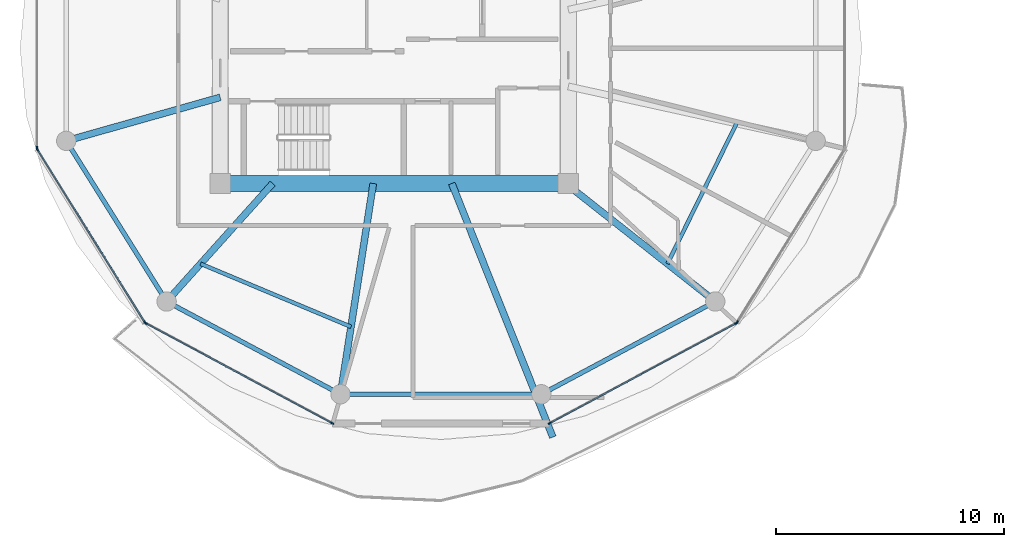
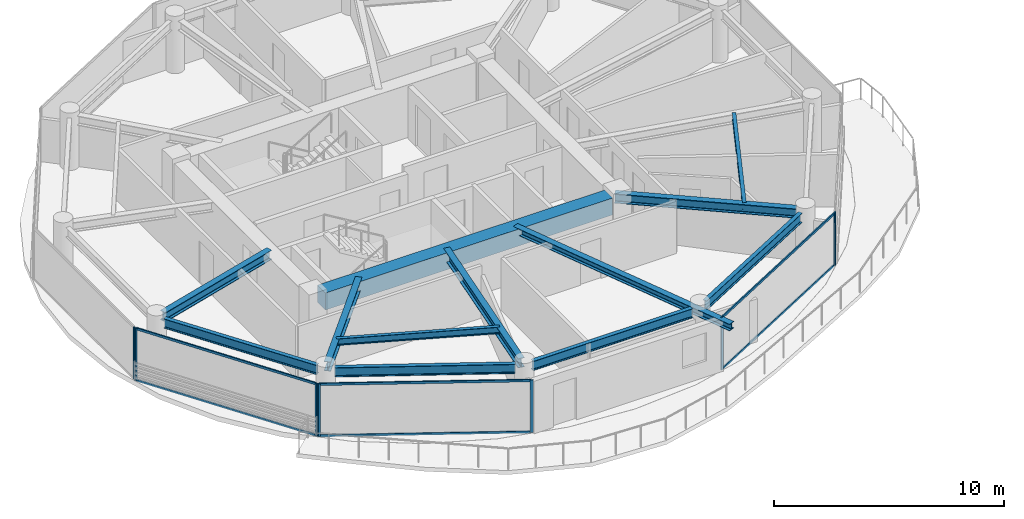
# One storey, part 2 of 24: 14 members, 12 beams, 5 elements without a shape of their own.
"""IFC4 building model written with IfcOpenShell, lengths in metres."""

import ifcopenshell
import ifcopenshell.guid

model = None  # the IFC model being written
_history = None  # IfcOwnerHistory: only IFC2X3 demands one
_inside = {}  # id of a spatial element -> (the spatial element, [elements in it])
_under = {}  # id of a project, library or spatial element -> (it, [spatial elements below it])
_declared = {}  # id of a project -> (the project, [libraries it declares])
_typed = {}  # id of a type object -> (the type object, [elements of that type])
_made_of = {}  # id of a material, layer set ... -> (it, [elements and type objects made of it])


def new_model(schema):
    """Start an empty IFC model of exactly this schema.

    Asked for "IFC4X3", IfcOpenShell would pick the latest addendum, in which some entities
    have other attributes; the version numbers below select the first issue.
    IFC2X3 requires an IfcOwnerHistory on every rooted entity: one is made here for all.
    """
    global model, _history
    if schema == "IFC4X3":
        model = ifcopenshell.file(schema_version=(4, 3, 0, 0))
    else:
        model = ifcopenshell.file(schema=schema)
    _inside.clear()
    _under.clear()
    _declared.clear()
    _typed.clear()
    _made_of.clear()
    _history = None
    if model.schema == "IFC2X3":
        org = make("IfcOrganization", Name="unknown")
        user = make(
            "IfcPersonAndOrganization",
            ThePerson=make("IfcPerson", FamilyName="unknown"),
            TheOrganization=org,
        )
        app = make(
            "IfcApplication",
            ApplicationDeveloper=org,
            Version="unknown",
            ApplicationFullName="unknown",
            ApplicationIdentifier="unknown",
        )
        _history = make(
            "IfcOwnerHistory",
            OwningUser=user,
            OwningApplication=app,
            ChangeAction="ADDED",
            CreationDate=0,
        )
    return model


def make(cls, **values):
    """One entity of the class cls with the attributes given. An attribute that is None is left unset."""
    return model.create_entity(
        cls, **{name: value for name, value in values.items() if value is not None}
    )


def rooted(cls, **values):
    """An entity with a GlobalId (a new one), such as an element, a storey or a relation."""
    return make(cls, GlobalId=ifcopenshell.guid.new(), OwnerHistory=_history, **values)


def si_unit(unit_type, name, prefix=None):
    """IfcSIUnit, for example si_unit("LENGTHUNIT", "METRE", prefix="MILLI")."""
    return make("IfcSIUnit", UnitType=unit_type, Prefix=prefix, Name=name)


def assignment(units):
    """IfcUnitAssignment: the units of a project."""
    return None if units is None else make("IfcUnitAssignment", Units=units)


def point(xyz):
    """IfcCartesianPoint."""
    return None if xyz is None else make("IfcCartesianPoint", Coordinates=xyz)


def direction(xyz):
    """IfcDirection."""
    return None if xyz is None else make("IfcDirection", DirectionRatios=xyz)


def frame(location, z_axis=None, x_axis=None):
    """IfcAxis2Placement3D, a coordinate frame: its origin and axes. An axis left out is left unset."""
    return make(
        "IfcAxis2Placement3D",
        Location=point(location),
        Axis=direction(z_axis),
        RefDirection=direction(x_axis),
    )


def frame_2d(location, x_axis=None):
    """IfcAxis2Placement2D, a coordinate frame in the plane: its origin and x axis."""
    return make(
        "IfcAxis2Placement2D", Location=point(location), RefDirection=direction(x_axis)
    )


def origin():
    """The frame at (0, 0, 0) with its axes left unset."""
    return frame((0.0, 0.0, 0.0))


def origin_2d():
    """The frame at (0, 0) in the plane with its x axis left unset."""
    return frame_2d((0.0, 0.0))


def place(relative_to, where):
    """IfcLocalPlacement: puts the frame where relative to a parent placement (None: the world)."""
    return make(
        "IfcLocalPlacement", PlacementRelTo=relative_to, RelativePlacement=where
    )


def context(
    kind, dimensions, precision=None, world=None, true_north=None, identifier=None
):
    """IfcGeometricRepresentationContext, for example the 3D "Model" context."""
    return make(
        "IfcGeometricRepresentationContext",
        ContextIdentifier=identifier,
        ContextType=kind,
        CoordinateSpaceDimension=dimensions,
        Precision=precision,
        WorldCoordinateSystem=world,
        TrueNorth=true_north,
    )


def subcontext(parent, identifier, kind, view, scale=None):
    """IfcGeometricRepresentationSubContext, for example "Body" below "Model"."""
    return make(
        "IfcGeometricRepresentationSubContext",
        ContextIdentifier=identifier,
        ContextType=kind,
        ParentContext=parent,
        TargetScale=scale,
        TargetView=view,
    )


def project(units=None, contexts=None):
    """IfcProject with its units and contexts."""
    return rooted(
        "IfcProject",
        Name="project",
        RepresentationContexts=contexts,
        UnitsInContext=assignment(units),
    )


def spatial(cls, under=None, at=None, **own):
    """A site, building, storey or space (cls), placed at a placement, below another one or the project."""
    s = rooted(cls, ObjectPlacement=at, **own)
    if under is not None:
        _under.setdefault(under.id(), (under, []))[1].append(s)
    return s


def profile(cls, at=None, kind="AREA", **sizes):
    """A parametric profile (cls). Its sizes go by their IFC names, for example OverallWidth=200.0."""
    return make(cls, ProfileType=kind, Position=at, **sizes)


def rectangle(**sizes):
    """IfcRectangleProfileDef."""
    return profile("IfcRectangleProfileDef", **sizes)


def i_section(**sizes):
    """IfcIShapeProfileDef."""
    return profile("IfcIShapeProfileDef", **sizes)


def extrude(swept, where, along, depth):
    """IfcExtrudedAreaSolid: the profile swept, set in the frame where, extruded along a direction by depth."""
    return make(
        "IfcExtrudedAreaSolid",
        SweptArea=swept,
        Position=where,
        ExtrudedDirection=direction(along),
        Depth=depth,
    )


def shape(context_of_items, identifier, shape_type, items):
    """IfcShapeRepresentation: the items that make up one representation, for example the "Body"."""
    return make(
        "IfcShapeRepresentation",
        ContextOfItems=context_of_items,
        RepresentationIdentifier=identifier,
        RepresentationType=shape_type,
        Items=items,
    )


def source(mapping_origin, context_of_items, identifier, shape_type, items):
    """IfcRepresentationMap: a shape defined once, which mapped items show again and again."""
    return make(
        "IfcRepresentationMap",
        MappingOrigin=mapping_origin,
        MappedRepresentation=shape(context_of_items, identifier, shape_type, items),
    )


def transform(
    local_origin,
    x_axis=None,
    y_axis=None,
    z_axis=None,
    scale=None,
    scale2=None,
    scale3=None,
    uniform=True,
):
    """IfcCartesianTransformationOperator3D, or its non-uniform kind. x_axis, y_axis, z_axis: its Axis1, 2, 3."""
    if uniform:
        return make(
            "IfcCartesianTransformationOperator3D",
            Axis1=direction(x_axis),
            Axis2=direction(y_axis),
            LocalOrigin=point(local_origin),
            Scale=scale,
            Axis3=direction(z_axis),
        )
    return make(
        "IfcCartesianTransformationOperator3DnonUniform",
        Axis1=direction(x_axis),
        Axis2=direction(y_axis),
        LocalOrigin=point(local_origin),
        Scale=scale,
        Axis3=direction(z_axis),
        Scale2=scale2,
        Scale3=scale3,
    )


def mapped(mapping_source, mapping_target):
    """IfcMappedItem: shows the shape of a source again, moved by a transform."""
    return make(
        "IfcMappedItem", MappingSource=mapping_source, MappingTarget=mapping_target
    )


def material(Name=None, Category=None):
    """IfcMaterial."""
    return make("IfcMaterial", Name=Name, Category=Category)


def layer(
    of_material, thickness, ventilated=None, Name=None, Category=None, Priority=None
):
    """IfcMaterialLayer: one layer of a wall or slab, of a material (None: an air gap)."""
    return make(
        "IfcMaterialLayer",
        Material=of_material,
        LayerThickness=thickness,
        IsVentilated=ventilated,
        Name=Name,
        Category=Category,
        Priority=Priority,
    )


def layer_set(layers, Name=None):
    """IfcMaterialLayerSet."""
    return make("IfcMaterialLayerSet", MaterialLayers=layers, LayerSetName=Name)


def material_profile(
    of_material, cross_section, Name=None, Category=None, Priority=None
):
    """IfcMaterialProfile: a cross section and its material."""
    return make(
        "IfcMaterialProfile",
        Name=Name,
        Material=of_material,
        Profile=cross_section,
        Priority=Priority,
        Category=Category,
    )


def profile_set(profiles, Name=None, composite=None):
    """IfcMaterialProfileSet."""
    return make(
        "IfcMaterialProfileSet",
        Name=Name,
        MaterialProfiles=profiles,
        CompositeProfile=composite,
    )


def made_of(thing, what):
    """Note that an element or type object is made of a material, layer set ...; save() writes the relation."""
    if what is not None:
        _made_of.setdefault(what.id(), (what, []))[1].append(thing)
    return thing


def type_object(cls, material=None, **own):
    """A type object (cls), such as IfcWallType, which elements share."""
    return made_of(rooted(cls, **own), material)


def type_shapes(of_type, sources):
    """Give a type object the sources (RepresentationMaps) that its elements show as mapped items."""
    of_type.RepresentationMaps = sources


def element(
    cls,
    number,
    at=None,
    inside=None,
    cuts=None,
    type_object=None,
    material=None,
    context=None,
    identifier="Body",
    shape_type=None,
    held_by="IfcProductDefinitionShape",
    body=None,
    shapes=None,
    **own,
):
    """One element of the class cls, such as IfcWall. Its Tag is "e" and its number.

    at: its placement. inside: the storey or other place that contains it. cuts: it is an
    opening in that element (IfcRelVoidsElement). A single representation is given by context,
    identifier, shape_type and body (its items); several are given by shapes. held_by: the class
    of the entity that holds the representations. save() writes the other relations.
    """
    e = rooted(cls, Tag="e%d" % number, ObjectPlacement=at, **own)
    if body is not None:
        shapes = [shape(context, identifier, shape_type, body)]
    if shapes is not None:
        e.Representation = make(held_by, Representations=shapes)
    if inside is not None:
        _inside.setdefault(inside.id(), (inside, []))[1].append(e)
    if cuts is not None:
        rooted(
            "IfcRelVoidsElement", RelatingBuildingElement=cuts, RelatedOpeningElement=e
        )
    if type_object is not None:
        _typed.setdefault(type_object.id(), (type_object, []))[1].append(e)
    return made_of(e, material)


def aggregate(whole, parts):
    """IfcRelAggregates: a whole, such as a stair, and the parts it consists of."""
    return rooted("IfcRelAggregates", RelatingObject=whole, RelatedObjects=parts)


def save(model, path):
    """Write the relations noted so far, then the file.

    IfcRelAggregates (storeys below a building ...), IfcRelContainedInSpatialStructure (elements
    in a storey), IfcRelDefinesByType, IfcRelAssociatesMaterial and IfcRelDeclares: one each for
    every whole, place, type object, material and project.
    """
    for whole, parts in _under.values():
        aggregate(whole, parts)
    for where, things in _inside.values():
        rooted(
            "IfcRelContainedInSpatialStructure",
            RelatedElements=things,
            RelatingStructure=where,
        )
    for kind, things in _typed.values():
        rooted("IfcRelDefinesByType", RelatedObjects=things, RelatingType=kind)
    for what, things in _made_of.values():
        rooted("IfcRelAssociatesMaterial", RelatedObjects=things, RelatingMaterial=what)
    for by, libraries in _declared.values():
        rooted("IfcRelDeclares", RelatingContext=by, RelatedDefinitions=libraries)
    model.write(path)


model = new_model("IFC4")

# Units and contexts
model_context = context("Model", 3, precision=1e-05, world=origin(), true_north=direction((0.0, 1.0)))
body_context = subcontext(model_context, "Body", "Model", "MODEL_VIEW")
ifc_project = project(units=[si_unit("LENGTHUNIT", "METRE"), si_unit("AREAUNIT", "SQUARE_METRE"), si_unit("VOLUMEUNIT", "CUBIC_METRE"), si_unit("PLANEANGLEUNIT", "RADIAN"), si_unit("MASSUNIT", "GRAM", prefix="KILO")], contexts=[model_context])

# Site, building, storey
site_placement = place(None, origin())
site = spatial("IfcSite", under=ifc_project, at=site_placement, CompositionType="ELEMENT")
building_placement = place(site_placement, origin())
building = spatial("IfcBuilding", under=site, at=building_placement, Name="Norrkilde Senior Care Towers", CompositionType="ELEMENT")
storey_placement = place(building_placement, frame((0.0, 0.0, 117.60009765625)))
storey = spatial("IfcBuildingStorey", under=building, at=storey_placement, Name="L36", CompositionType="ELEMENT", Elevation=117.60009765625)

# Beams
ifc_material_1 = material(Name="Concrete C60/75", Category="concrete")
ifc_material_profile_1 = material_profile(ifc_material_1, rectangle(XDim=0.699951171875, YDim=0.89990234375, at=origin_2d()), Name="RC BM 700x900")
ifc_profile_set_1 = profile_set([ifc_material_profile_1], Name="Concrete C60/75")
beam_type_1 = type_object("IfcBeamType", Name="Core Coupling Girder 700x900", PredefinedType="USERDEFINED", material=ifc_profile_set_1)
shared_shape_1 = source(origin(), body_context, "Body", "SweptSolid", [
    extrude(rectangle(XDim=0.699951171875, YDim=0.89990234375, at=origin_2d()), origin(), (0.0, 0.0, 1.0), 14.43994140625),
])
type_shapes(beam_type_1, [shared_shape_1])
beam_1_placement = place(storey_placement, frame((-35.219970703125, -5.949951171875, 2.33984375), z_axis=(1.0, 0.0, 0.0), x_axis=(0.0, 1.0, 0.0)))
element("IfcBeam", 1, at=beam_1_placement, inside=storey, type_object=beam_type_1, Name="L36 Core W S Coupling Girder", ObjectType="GIRDER", PredefinedType="USERDEFINED", context=body_context, shape_type="MappedRepresentation", body=[
    mapped(shared_shape_1, transform((0.0, 0.0, 0.0), x_axis=(1.0, 0.0, 0.0), y_axis=(0.0, 1.0, 0.0), z_axis=(0.0, 0.0, 1.0), scale=1.0)),
])
ifc_material_2 = material(Name="Steel S355", Category="steel")
ifc_material_profile_2 = material_profile(ifc_material_2, i_section(OverallWidth=0.199951171875, OverallDepth=0.5, WebThickness=0.01025390625, FlangeThickness=0.01611328125, FilletRadius=0.02099609375, at=origin_2d()), Name="IPE 500")
ifc_profile_set_2 = profile_set([ifc_material_profile_2], Name="Steel S355")
beam_type_2 = type_object("IfcBeamType", Name="Perimeter Ring Spandrel Z2 IPE500", PredefinedType="SPANDREL", material=ifc_profile_set_2)
shared_shape_2 = source(origin(), body_context, "Body", "SweptSolid", [
    extrude(i_section(OverallWidth=0.199951171875, OverallDepth=0.5, WebThickness=0.01025390625, FlangeThickness=0.01611328125, FilletRadius=0.02099609375, at=origin_2d()), origin(), (0.0, 0.0, 1.0), 7.892333984375),
])
for number, where, z_axis, x_axis, name in (
    (2, (-37.66650390625, -11.318115234375, 2.539794921875), (0.882350372282, -0.47059305194, 0.0), (0.47059305194, 0.882350372282, 0.0), "L36 Drum W Perimeter Spandrel 08"),
    (3, (-21.197509765625, -15.0322265625, 2.539794921875), (0.882350372282, 0.47059305194, 0.0), (-0.47059305194, 0.882350372282, 0.0), "L36 Drum W Perimeter Spandrel 10"),
):
    element("IfcBeam", number, at=place(storey_placement, frame(where, z_axis=z_axis, x_axis=x_axis)), inside=storey, type_object=beam_type_2, Name=name, PredefinedType="SPANDREL", context=body_context, shape_type="MappedRepresentation", body=[
        mapped(shared_shape_2, transform((0.0, 0.0, 0.0), x_axis=(1.0, 0.0, 0.0), y_axis=(0.0, 1.0, 0.0), z_axis=(0.0, 0.0, 1.0), scale=1.0)),
    ])
ifc_material_profile_3 = material_profile(ifc_material_2, i_section(OverallWidth=0.300048828125, OverallDepth=0.5, WebThickness=0.014404296875, FlangeThickness=0.028076171875, FilletRadius=0.027099609375, at=origin_2d()), Name="HEB 500")
ifc_profile_set_3 = profile_set([ifc_material_profile_3], Name="Steel S355")
beam_type_3 = type_object("IfcBeamType", Name="Radial Floor Beam Z2 HEB500", PredefinedType="BEAM", material=ifc_profile_set_3)
shared_shape_3 = source(origin(), body_context, "Body", "SweptSolid", [
    extrude(i_section(OverallWidth=0.300048828125, OverallDepth=0.5, WebThickness=0.014404296875, FlangeThickness=0.028076171875, FilletRadius=0.027099609375, at=origin_2d()), origin(), (0.0, 0.0, 1.0), 7.985595703125),
])
beam_2_placement = place(storey_placement, frame((-20.463623046875, -5.949951171875, 2.539794921875), z_axis=(0.784858505144, -0.619675017169, 0.0), x_axis=(0.619675017169, 0.784858505144, 0.0)))
element("IfcBeam", 4, at=beam_2_placement, inside=storey, type_object=beam_type_3, Name="L36 Drum W Radial Floor Beam 11", PredefinedType="BEAM", context=body_context, shape_type="MappedRepresentation", body=[
    mapped(shared_shape_3, transform((0.0, 0.0, 0.0), x_axis=(1.0, 0.0, 0.0), y_axis=(0.0, 1.0, 0.0), z_axis=(0.0, 0.0, 1.0), scale=1.0)),
])
shared_shape_4 = source(origin(), body_context, "Body", "SweptSolid", [
    extrude(i_section(OverallWidth=0.199951171875, OverallDepth=0.5, WebThickness=0.01025390625, FlangeThickness=0.01611328125, FilletRadius=0.02099609375, at=origin_2d()), origin(), (0.0, 0.0, 1.0), 8.0556640625),
])
beam_3_placement = place(storey_placement, frame((-29.977783203125, -15.21337890625, 2.539794921875), z_axis=(1.0, 0.0, 0.0), x_axis=(0.0, 1.0, 0.0)))
element("IfcBeam", 5, at=beam_3_placement, inside=storey, type_object=beam_type_2, Name="L36 Drum W Perimeter Spandrel 09", PredefinedType="SPANDREL", context=body_context, shape_type="MappedRepresentation", body=[
    mapped(shared_shape_4, transform((0.0, 0.0, 0.0), x_axis=(1.0, 0.0, 0.0), y_axis=(0.0, 1.0, 0.0), z_axis=(0.0, 0.0, 1.0), scale=1.0)),
])
shared_shape_5 = source(origin(), body_context, "Body", "SweptSolid", [
    extrude(i_section(OverallWidth=0.300048828125, OverallDepth=0.5, WebThickness=0.014404296875, FlangeThickness=0.028076171875, FilletRadius=0.027099609375, at=origin_2d()), origin(), (0.0, 0.0, 1.0), 8.989501953125),
])
beam_4_placement = place(storey_placement, frame((-28.924072265625, -5.949951171875, 2.539794921875), z_axis=(-0.153471298636, -0.988153105796, 0.0), x_axis=(0.988153105796, -0.153471298636, 0.0)))
element("IfcBeam", 6, at=beam_4_placement, inside=storey, type_object=beam_type_3, Name="L36 Drum W Radial Floor Beam 09", PredefinedType="BEAM", context=body_context, shape_type="MappedRepresentation", body=[
    mapped(shared_shape_5, transform((0.0, 0.0, 0.0), x_axis=(1.0, 0.0, 0.0), y_axis=(0.0, 1.0, 0.0), z_axis=(0.0, 0.0, 1.0), scale=1.0)),
])
shared_shape_6 = source(origin(), body_context, "Body", "SweptSolid", [
    extrude(i_section(OverallWidth=0.199951171875, OverallDepth=0.5, WebThickness=0.01025390625, FlangeThickness=0.01611328125, FilletRadius=0.02099609375, at=origin_2d()), origin(), (0.0, 0.0, 1.0), 7.556396484375),
])
type_shapes(beam_type_2, [shared_shape_2, shared_shape_4, shared_shape_6])
beam_5_placement = place(storey_placement, frame((-42.215087890625, -4.40283203125, 2.539794921875), z_axis=(0.530004748437, -0.847994673706, 0.0), x_axis=(0.847994673706, 0.530004748437, 0.0)))
element("IfcBeam", 7, at=beam_5_placement, inside=storey, type_object=beam_type_2, Name="L36 Drum W Perimeter Spandrel 07", PredefinedType="SPANDREL", context=body_context, shape_type="MappedRepresentation", body=[
    mapped(shared_shape_6, transform((0.0, 0.0, 0.0), x_axis=(1.0, 0.0, 0.0), y_axis=(0.0, 1.0, 0.0), z_axis=(0.0, 0.0, 1.0), scale=1.0)),
])
shared_shape_7 = source(origin(), body_context, "Body", "SweptSolid", [
    extrude(i_section(OverallWidth=0.300048828125, OverallDepth=0.5, WebThickness=0.014404296875, FlangeThickness=0.028076171875, FilletRadius=0.027099609375, at=origin_2d()), origin(), (0.0, 0.0, 1.0), 6.587890625),
])
beam_6_placement = place(storey_placement, frame((-33.345947265625, -5.949951171875, 2.539794921875), z_axis=(-0.668315438605, -0.743877997068, 0.0), x_axis=(0.743877997068, -0.668315438605, 0.0)))
element("IfcBeam", 8, at=beam_6_placement, inside=storey, type_object=beam_type_3, Name="L36 Drum W Radial Floor Beam 08", PredefinedType="BEAM", context=body_context, shape_type="MappedRepresentation", body=[
    mapped(shared_shape_7, transform((0.0, 0.0, 0.0), x_axis=(1.0, 0.0, 0.0), y_axis=(0.0, 1.0, 0.0), z_axis=(0.0, 0.0, 1.0), scale=1.0)),
])
shared_shape_8 = source(origin(), body_context, "Body", "SweptSolid", [
    extrude(i_section(OverallWidth=0.300048828125, OverallDepth=0.5, WebThickness=0.014404296875, FlangeThickness=0.028076171875, FilletRadius=0.027099609375, at=origin_2d()), origin(), (0.0, 0.0, 1.0), 6.6494140625),
])
type_shapes(beam_type_3, [shared_shape_3, shared_shape_5, shared_shape_7, shared_shape_8])
beam_7_placement = place(storey_placement, frame((-35.64990234375, -2.162841796875, 2.539794921875), z_axis=(-0.962289138357, -0.27202870106, 0.0), x_axis=(0.27202870106, -0.962289138357, 0.0)))
element("IfcBeam", 9, at=beam_7_placement, inside=storey, type_object=beam_type_3, Name="L36 Drum W Radial Floor Beam 07", PredefinedType="BEAM", context=body_context, shape_type="MappedRepresentation", body=[
    mapped(shared_shape_8, transform((0.0, 0.0, 0.0), x_axis=(1.0, 0.0, 0.0), y_axis=(0.0, 1.0, 0.0), z_axis=(0.0, 0.0, 1.0), scale=1.0)),
])
ifc_material_profile_4 = material_profile(ifc_material_2, i_section(OverallWidth=0.169921875, OverallDepth=0.360107421875, WebThickness=0.008056640625, FlangeThickness=0.0126953125, FilletRadius=0.01806640625, at=origin_2d()), Name="IPE 360")
ifc_profile_set_4 = profile_set([ifc_material_profile_4], Name="Steel S355")
beam_type_4 = type_object("IfcBeamType", Name="Secondary Floor Joist IPE360", PredefinedType="JOIST", material=ifc_profile_set_4)
shared_shape_9 = source(origin(), body_context, "Body", "SweptSolid", [
    extrude(i_section(OverallWidth=0.169921875, OverallDepth=0.360107421875, WebThickness=0.008056640625, FlangeThickness=0.0126953125, FilletRadius=0.01806640625, at=origin_2d()), origin(), (0.0, 0.0, 1.0), 7.169921875),
])
beam_8_placement = place(storey_placement, frame((-36.514892578125, -9.47705078125, 2.60986328125), z_axis=(0.922240600393, -0.386616444279, 0.0), x_axis=(0.386616444279, 0.922240600393, 0.0)))
element("IfcBeam", 10, at=beam_8_placement, inside=storey, type_object=beam_type_4, Name="L36 Drum W Secondary Floor Joist 3", PredefinedType="JOIST", context=body_context, shape_type="MappedRepresentation", body=[
    mapped(shared_shape_9, transform((0.0, 0.0, 0.0), x_axis=(1.0, 0.0, 0.0), y_axis=(0.0, 1.0, 0.0), z_axis=(0.0, 0.0, 1.0), scale=1.0)),
])
shared_shape_10 = source(origin(), body_context, "Body", "SweptSolid", [
    extrude(i_section(OverallWidth=0.169921875, OverallDepth=0.360107421875, WebThickness=0.008056640625, FlangeThickness=0.0126953125, FilletRadius=0.01806640625, at=origin_2d()), origin(), (0.0, 0.0, 1.0), 6.87353515625),
])
type_shapes(beam_type_4, [shared_shape_9, shared_shape_10])
beam_9_placement = place(storey_placement, frame((-15.99609375, -9.47705078125, 2.60986328125), z_axis=(0.44184939592, 0.897089243791, 0.0), x_axis=(-0.897089243791, 0.44184939592, 0.0)))
element("IfcBeam", 11, at=beam_9_placement, inside=storey, type_object=beam_type_4, Name="L36 Drum W Secondary Floor Joist 4", PredefinedType="JOIST", context=body_context, shape_type="MappedRepresentation", body=[
    mapped(shared_shape_10, transform((0.0, 0.0, 0.0), x_axis=(1.0, 0.0, 0.0), y_axis=(0.0, 1.0, 0.0), z_axis=(0.0, 0.0, 1.0), scale=1.0)),
])
ifc_material_profile_5 = material_profile(ifc_material_2, i_section(OverallWidth=0.300048828125, OverallDepth=0.360107421875, WebThickness=0.012451171875, FlangeThickness=0.0224609375, FilletRadius=0.027099609375, at=origin_2d()), Name="HEB 360")
ifc_profile_set_5 = profile_set([ifc_material_profile_5], Name="Steel S355")
beam_type_5 = type_object("IfcBeamType", Name="Balcony Crest Cantilever Rib HEB360", PredefinedType="BEAM", material=ifc_profile_set_5)
shared_shape_11 = source(origin(), body_context, "Body", "SweptSolid", [
    extrude(i_section(OverallWidth=0.300048828125, OverallDepth=0.360107421875, WebThickness=0.012451171875, FlangeThickness=0.0224609375, FilletRadius=0.027099609375, at=origin_2d()), origin(), (0.0, 0.0, 1.0), 11.998779296875),
])
type_shapes(beam_type_5, [shared_shape_11])
beam_10_placement = place(storey_placement, frame((-25.472412109375, -5.949951171875, 2.60986328125), z_axis=(0.370036132968, -0.929017362754, 0.0), x_axis=(0.929017362754, 0.370036132968, 0.0)))
element("IfcBeam", 12, at=beam_10_placement, inside=storey, type_object=beam_type_5, Name="L36 Drum W Balcony Cantilever Rib", PredefinedType="BEAM", context=body_context, shape_type="MappedRepresentation", body=[
    mapped(shared_shape_11, transform((0.0, 0.0, 0.0), x_axis=(1.0, 0.0, 0.0), y_axis=(0.0, 1.0, 0.0), z_axis=(0.0, 0.0, 1.0), scale=1.0)),
])

# Curtain wall, member
ifc_material_3 = material(Name="Triple Low-E Insulated Glazing", Category="glass")
ifc_layer = layer(ifc_material_3, 0.195068359375)
ifc_layer_set = layer_set([ifc_layer], Name="Triple Low-E Insulated Glazing")
curtain_wall_type = type_object("IfcCurtainWallType", Name="CW3 Zone 2 Assisted Living Curtain Wall", PredefinedType="NOTDEFINED", material=ifc_layer_set)
curtain_wall_1_placement = place(storey_placement, origin())
curtain_wall_1 = element("IfcCurtainWall", 13, at=curtain_wall_1_placement, inside=storey, type_object=curtain_wall_type, Name="L36 Drum W Curtain Wall 05", PredefinedType="NOTDEFINED")
ifc_material_4 = material(Name="Anodised Aluminium", Category="aluminium")
ifc_material_profile_6 = material_profile(ifc_material_4, rectangle(XDim=0.06494140625, YDim=0.159912109375, at=origin_2d()), Name="ALU MULL 65x160")
ifc_profile_set_6 = profile_set([ifc_material_profile_6], Name="Anodised Aluminium")
member_type_1 = type_object("IfcMemberType", Name="Curtain Wall Mullion Z1-Z2 65x160", PredefinedType="MULLION", material=ifc_profile_set_6)
shared_shape_12 = source(origin(), body_context, "Body", "SweptSolid", [
    extrude(rectangle(XDim=0.06494140625, YDim=0.159912109375, at=origin_2d()), origin(), (0.0, 0.0, 1.0), 2.789794921875),
])
type_shapes(member_type_1, [shared_shape_12])
member_1_placement = place(storey_placement, frame((-43.70361328125, -4.38818359375, 0.0), z_axis=(0.0, 0.0, 1.0), x_axis=(-1.0, 0.0, 0.0)))
member_1 = element("IfcMember", 14, at=member_1_placement, type_object=member_type_1, Name="CW-3 mullion 1", PredefinedType="MULLION", context=body_context, shape_type="MappedRepresentation", body=[
    mapped(shared_shape_12, transform((0.0, 0.0, 0.0), x_axis=(1.0, 0.0, 0.0), y_axis=(0.0, 1.0, 0.0), z_axis=(0.0, 0.0, 1.0), scale=1.0)),
])
aggregate(curtain_wall_1, [member_1])

# Curtain wall, members
curtain_wall_2_placement = place(storey_placement, origin())
curtain_wall_2 = element("IfcCurtainWall", 15, at=curtain_wall_2_placement, inside=storey, type_object=curtain_wall_type, Name="L36 Drum W Curtain Wall 06", PredefinedType="NOTDEFINED")
member_2_placement = place(storey_placement, frame((-38.9638671875, -12.0498046875, 0.0), z_axis=(0.0, 0.0, 1.0), x_axis=(-0.849410171862, -0.527733228002, 0.0)))
member_2 = element("IfcMember", 16, at=member_2_placement, type_object=member_type_1, Name="CW-3 mullion 1", PredefinedType="MULLION", context=body_context, shape_type="MappedRepresentation", body=[
    mapped(shared_shape_12, transform((0.0, 0.0, 0.0), x_axis=(1.0, 0.0, 0.0), y_axis=(0.0, 1.0, 0.0), z_axis=(0.0, 0.0, 1.0), scale=1.0)),
])
member_3_placement = place(storey_placement, frame((-43.6865234375, -4.4482421875, 0.0), z_axis=(0.0, 0.0, 1.0), x_axis=(-0.849410171862, -0.527733228002, 0.0)))
member_3 = element("IfcMember", 17, at=member_3_placement, type_object=member_type_1, Name="CW-3 mullion 2", PredefinedType="MULLION", context=body_context, shape_type="MappedRepresentation", body=[
    mapped(shared_shape_12, transform((0.0, 0.0, 0.0), x_axis=(1.0, 0.0, 0.0), y_axis=(0.0, 1.0, 0.0), z_axis=(0.0, 0.0, 1.0), scale=1.0)),
])

curtain_wall_3_placement = place(storey_placement, origin())
curtain_wall_3 = element("IfcCurtainWall", 18, at=curtain_wall_3_placement, inside=storey, type_object=curtain_wall_type, Name="L36 Drum W Curtain Wall 07", PredefinedType="NOTDEFINED")
member_4_placement = place(storey_placement, frame((-30.73583984375, -16.482666015625, 0.0), z_axis=(0.0, 0.0, 1.0), x_axis=(-0.472769402511, -0.881186184668, 0.0)))
member_4 = element("IfcMember", 19, at=member_4_placement, type_object=member_type_1, Name="CW-3 mullion 1", PredefinedType="MULLION", context=body_context, shape_type="MappedRepresentation", body=[
    mapped(shared_shape_12, transform((0.0, 0.0, 0.0), x_axis=(1.0, 0.0, 0.0), y_axis=(0.0, 1.0, 0.0), z_axis=(0.0, 0.0, 1.0), scale=1.0)),
])
member_5_placement = place(storey_placement, frame((-38.91796875, -12.0927734375, 0.0), z_axis=(0.0, 0.0, 1.0), x_axis=(-0.472769402511, -0.881186184668, 0.0)))
member_5 = element("IfcMember", 20, at=member_5_placement, type_object=member_type_1, Name="CW-3 mullion 2", PredefinedType="MULLION", context=body_context, shape_type="MappedRepresentation", body=[
    mapped(shared_shape_12, transform((0.0, 0.0, 0.0), x_axis=(1.0, 0.0, 0.0), y_axis=(0.0, 1.0, 0.0), z_axis=(0.0, 0.0, 1.0), scale=1.0)),
])

curtain_wall_4_placement = place(storey_placement, origin())
curtain_wall_4 = element("IfcCurtainWall", 21, at=curtain_wall_4_placement, inside=storey, type_object=curtain_wall_type, Name="L36 Drum W Curtain Wall 09", PredefinedType="NOTDEFINED")
member_6_placement = place(storey_placement, frame((-12.98193359375, -12.0927734375, 0.0), z_axis=(0.0, 0.0, 1.0), x_axis=(0.472769402511, -0.881186184668, 0.0)))
member_6 = element("IfcMember", 22, at=member_6_placement, type_object=member_type_1, Name="CW-3 mullion 1", PredefinedType="MULLION", context=body_context, shape_type="MappedRepresentation", body=[
    mapped(shared_shape_12, transform((0.0, 0.0, 0.0), x_axis=(1.0, 0.0, 0.0), y_axis=(0.0, 1.0, 0.0), z_axis=(0.0, 0.0, 1.0), scale=1.0)),
])
member_7_placement = place(storey_placement, frame((-21.164306640625, -16.482666015625, 0.0), z_axis=(0.0, 0.0, 1.0), x_axis=(0.472769402511, -0.881186184668, 0.0)))
member_7 = element("IfcMember", 23, at=member_7_placement, type_object=member_type_1, Name="CW-3 mullion 2", PredefinedType="MULLION", context=body_context, shape_type="MappedRepresentation", body=[
    mapped(shared_shape_12, transform((0.0, 0.0, 0.0), x_axis=(1.0, 0.0, 0.0), y_axis=(0.0, 1.0, 0.0), z_axis=(0.0, 0.0, 1.0), scale=1.0)),
])

# Curtain wall, member
curtain_wall_5_placement = place(storey_placement, origin())
curtain_wall_5 = element("IfcCurtainWall", 24, at=curtain_wall_5_placement, inside=storey, type_object=curtain_wall_type, Name="L36 Drum W Curtain Wall 10", PredefinedType="NOTDEFINED")
member_8_placement = place(storey_placement, frame((-12.936279296875, -12.0498046875, 0.0), z_axis=(0.0, 0.0, 1.0), x_axis=(0.849410171862, -0.527733228002, 0.0)))
member_8 = element("IfcMember", 25, at=member_8_placement, type_object=member_type_1, Name="CW-3 mullion 2", PredefinedType="MULLION", context=body_context, shape_type="MappedRepresentation", body=[
    mapped(shared_shape_12, transform((0.0, 0.0, 0.0), x_axis=(1.0, 0.0, 0.0), y_axis=(0.0, 1.0, 0.0), z_axis=(0.0, 0.0, 1.0), scale=1.0)),
])
aggregate(curtain_wall_5, [member_8])

# Member
ifc_material_profile_7 = material_profile(ifc_material_4, rectangle(XDim=0.06005859375, YDim=0.1201171875, at=origin_2d()), Name="ALU TRAN 60x120")
ifc_profile_set_7 = profile_set([ifc_material_profile_7], Name="Anodised Aluminium")
member_type_2 = type_object("IfcMemberType", Name="Curtain Wall Transom Typical 60x120", PredefinedType="USERDEFINED", material=ifc_profile_set_7)
shared_shape_13 = source(origin(), body_context, "Body", "SweptSolid", [
    extrude(rectangle(XDim=0.06005859375, YDim=0.1201171875, at=origin_2d()), origin(), (0.0, 0.0, 1.0), 8.88427734375),
])
member_9_placement = place(storey_placement, frame((-38.98095703125, -12.022216796875, 0.02978515625), z_axis=(-0.527729466743, 0.849412508697, 0.0), x_axis=(-0.849412508697, -0.527729466743, 0.0)))
member_9 = element("IfcMember", 26, at=member_9_placement, type_object=member_type_2, Name="CW-3 transom 1.1", ObjectType="TRANSOM", PredefinedType="USERDEFINED", context=body_context, shape_type="MappedRepresentation", body=[
    mapped(shared_shape_13, transform((0.0, 0.0, 0.0), x_axis=(1.0, 0.0, 0.0), y_axis=(0.0, 1.0, 0.0), z_axis=(0.0, 0.0, 1.0), scale=1.0)),
])

member_10_placement = place(storey_placement, frame((-38.98095703125, -12.022216796875, 2.760009765625), z_axis=(-0.527729466743, 0.849412508697, 0.0), x_axis=(-0.849412508697, -0.527729466743, 0.0)))
member_10 = element("IfcMember", 27, at=member_10_placement, type_object=member_type_2, Name="CW-3 transom 1.2", ObjectType="TRANSOM", PredefinedType="USERDEFINED", context=body_context, shape_type="MappedRepresentation", body=[
    mapped(shared_shape_13, transform((0.0, 0.0, 0.0), x_axis=(1.0, 0.0, 0.0), y_axis=(0.0, 1.0, 0.0), z_axis=(0.0, 0.0, 1.0), scale=1.0)),
])

aggregate(curtain_wall_2, [member_2, member_3, member_9, member_10])

shared_shape_14 = source(origin(), body_context, "Body", "SweptSolid", [
    extrude(rectangle(XDim=0.06005859375, YDim=0.1201171875, at=origin_2d()), origin(), (0.0, 0.0, 1.0), 9.220458984375),
])
type_shapes(member_type_2, [shared_shape_13, shared_shape_14])
member_11_placement = place(storey_placement, frame((-30.764404296875, -16.46728515625, 0.02978515625), z_axis=(-0.881188517866, 0.472765053681, 0.0), x_axis=(-0.472765053681, -0.881188517866, 0.0)))
member_11 = element("IfcMember", 28, at=member_11_placement, type_object=member_type_2, Name="CW-3 transom 1.1", ObjectType="TRANSOM", PredefinedType="USERDEFINED", context=body_context, shape_type="MappedRepresentation", body=[
    mapped(shared_shape_14, transform((0.0, 0.0, 0.0), x_axis=(1.0, 0.0, 0.0), y_axis=(0.0, 1.0, 0.0), z_axis=(0.0, 0.0, 1.0), scale=1.0)),
])

member_12_placement = place(storey_placement, frame((-30.764404296875, -16.46728515625, 2.760009765625), z_axis=(-0.881188517866, 0.472765053681, 0.0), x_axis=(-0.472765053681, -0.881188517866, 0.0)))
member_12 = element("IfcMember", 29, at=member_12_placement, type_object=member_type_2, Name="CW-3 transom 1.2", ObjectType="TRANSOM", PredefinedType="USERDEFINED", context=body_context, shape_type="MappedRepresentation", body=[
    mapped(shared_shape_14, transform((0.0, 0.0, 0.0), x_axis=(1.0, 0.0, 0.0), y_axis=(0.0, 1.0, 0.0), z_axis=(0.0, 0.0, 1.0), scale=1.0)),
])

aggregate(curtain_wall_3, [member_4, member_5, member_11, member_12])

member_13_placement = place(storey_placement, frame((-13.0107421875, -12.108154296875, 0.02978515625), z_axis=(-0.881188517866, -0.472765053681, 0.0), x_axis=(0.472765053681, -0.881188517866, 0.0)))
member_13 = element("IfcMember", 30, at=member_13_placement, type_object=member_type_2, Name="CW-3 transom 1.1", ObjectType="TRANSOM", PredefinedType="USERDEFINED", context=body_context, shape_type="MappedRepresentation", body=[
    mapped(shared_shape_14, transform((0.0, 0.0, 0.0), x_axis=(1.0, 0.0, 0.0), y_axis=(0.0, 1.0, 0.0), z_axis=(0.0, 0.0, 1.0), scale=1.0)),
])

member_14_placement = place(storey_placement, frame((-13.0107421875, -12.108154296875, 2.760009765625), z_axis=(-0.881188517866, -0.472765053681, 0.0), x_axis=(0.472765053681, -0.881188517866, 0.0)))
member_14 = element("IfcMember", 31, at=member_14_placement, type_object=member_type_2, Name="CW-3 transom 1.2", ObjectType="TRANSOM", PredefinedType="USERDEFINED", context=body_context, shape_type="MappedRepresentation", body=[
    mapped(shared_shape_14, transform((0.0, 0.0, 0.0), x_axis=(1.0, 0.0, 0.0), y_axis=(0.0, 1.0, 0.0), z_axis=(0.0, 0.0, 1.0), scale=1.0)),
])

aggregate(curtain_wall_4, [member_6, member_7, member_13, member_14])

save(model, "model.ifc")
